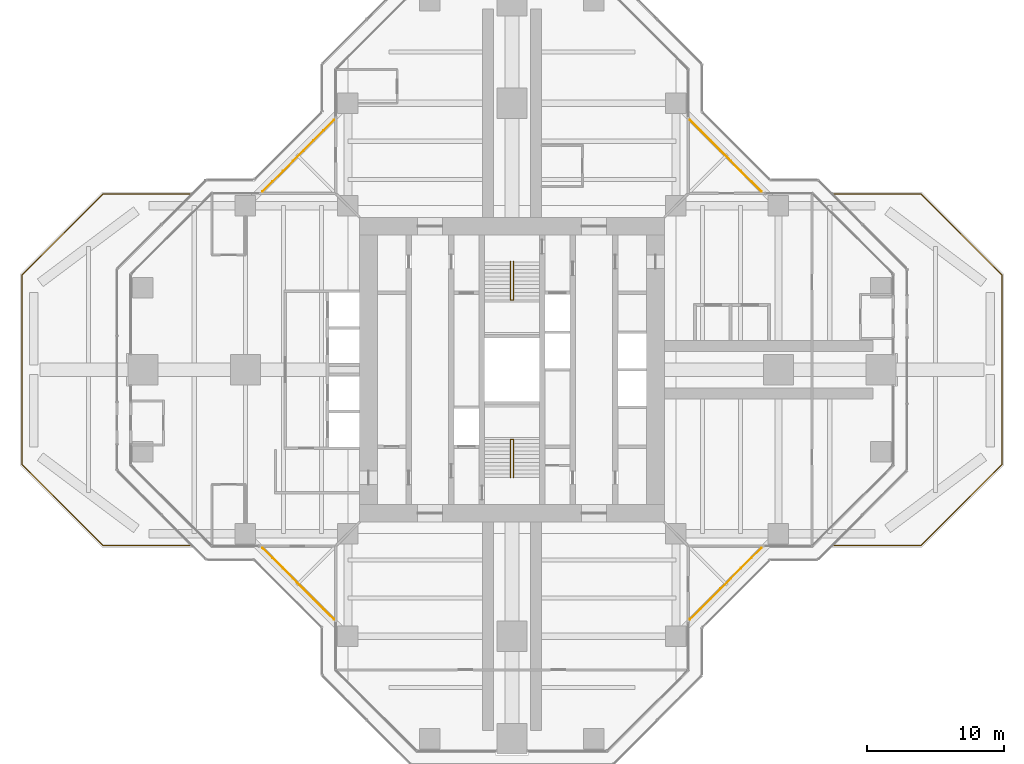
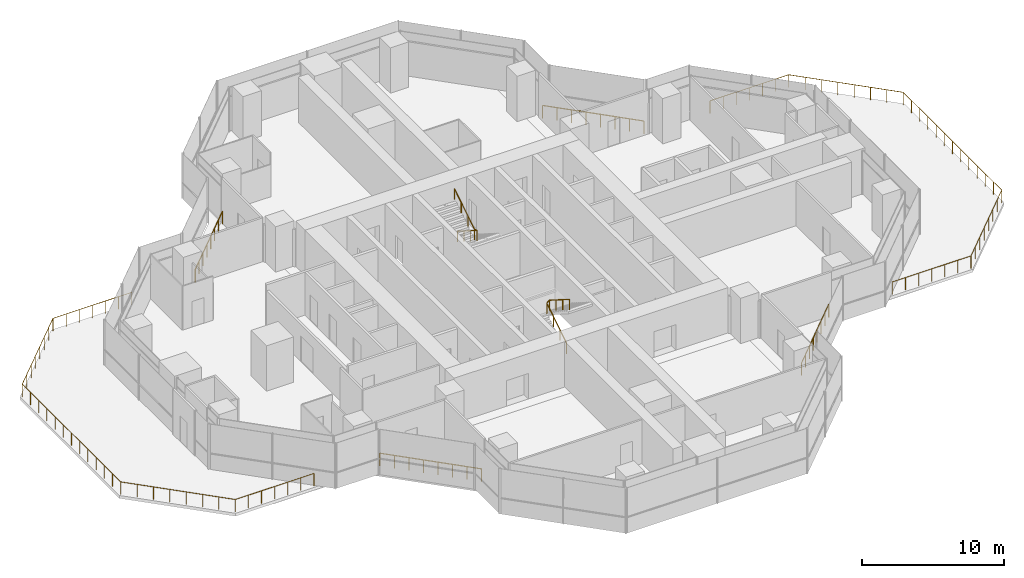
# One storey, part 19 of 19: 8 railings.
"""IFC4 building model written with IfcOpenShell, lengths in metres."""

from ifc_helpers import new_model, si_unit, direction, frame, origin, origin_2d, place, context, subcontext, project, spatial, circle, extrude, material, type_object, element, save


model = new_model("IFC4")

# Units and contexts
model_context = context("Model", 3, precision=1e-05, world=origin(), true_north=direction((0.0, 1.0)))
body_context = subcontext(model_context, "Body", "Model", "MODEL_VIEW")
ifc_project = project(units=[si_unit("LENGTHUNIT", "METRE"), si_unit("AREAUNIT", "SQUARE_METRE"), si_unit("VOLUMEUNIT", "CUBIC_METRE"), si_unit("PLANEANGLEUNIT", "RADIAN"), si_unit("MASSUNIT", "GRAM", prefix="KILO")], contexts=[model_context])

# Site, building, storey
site_placement = place(None, origin())
site = spatial("IfcSite", under=ifc_project, at=site_placement, CompositionType="ELEMENT")
building_placement = place(site_placement, origin())
building = spatial("IfcBuilding", under=site, at=building_placement, Name="Mizan Broadcast Tower", CompositionType="ELEMENT")
storey_placement = place(building_placement, frame((0.0, 0.0, 204.89990234375)))
storey = spatial("IfcBuildingStorey", under=building, at=storey_placement, Name="L47", CompositionType="ELEMENT", Elevation=204.89990234375)

# Railings
ifc_material_1 = material(Name="Stainless steel and glass guard", Category="steel")
railing_type_1 = type_object("IfcRailingType", Name="GUARD 1100", PredefinedType="GUARDRAIL", material=ifc_material_1)
railing_1_placement = place(storey_placement, frame((18.2578125, 13.030029296875, 0.0)))
element("IfcRailing", 1, at=railing_1_placement, inside=storey, type_object=railing_type_1, Name="Winter garden guard L47 E", PredefinedType="GUARDRAIL", context=body_context, shape_type="SweptSolid", body=[
    extrude(circle(Radius=0.02392578125, at=origin_2d()), frame((0.0, 0.0, 1.076171875), z_axis=(-0.707106781187, 0.707106781187, 0.0), x_axis=(-0.707106781187, -0.707106781187, 0.0)), (0.0, 0.0, 1.0), 7.393310546875),
    extrude(circle(Radius=0.02099609375, at=origin_2d()), origin(), (0.0, 0.0, 1.0), 1.052001953125),
    extrude(circle(Radius=0.02099609375, at=origin_2d()), frame((-0.746826171875, 0.746826171875, 0.0)), (0.0, 0.0, 1.0), 1.052001953125),
    extrude(circle(Radius=0.02099609375, at=origin_2d()), frame((-1.49365234375, 1.49365234375, 0.0)), (0.0, 0.0, 1.0), 1.052001953125),
    extrude(circle(Radius=0.02099609375, at=origin_2d()), frame((-2.240478515625, 2.240478515625, 0.0)), (0.0, 0.0, 1.0), 1.052001953125),
    extrude(circle(Radius=0.02099609375, at=origin_2d()), frame((-2.9873046875, 2.9873046875, 0.0)), (0.0, 0.0, 1.0), 1.052001953125),
    extrude(circle(Radius=0.02099609375, at=origin_2d()), frame((-3.734130859375, 3.734130859375, 0.0)), (0.0, 0.0, 1.0), 1.052001953125),
    extrude(circle(Radius=0.02099609375, at=origin_2d()), frame((-4.48095703125, 4.48095703125, 0.0)), (0.0, 0.0, 1.0), 1.052001953125),
    extrude(circle(Radius=0.02099609375, at=origin_2d()), frame((-5.227783203125, 5.227783203125, 0.0)), (0.0, 0.0, 1.0), 1.052001953125),
])
railing_2_placement = place(storey_placement, frame((-13.030029296875, 18.2578125, 0.0)))
element("IfcRailing", 2, at=railing_2_placement, inside=storey, type_object=railing_type_1, Name="Winter garden guard L47 N", PredefinedType="GUARDRAIL", context=body_context, shape_type="SweptSolid", body=[
    extrude(circle(Radius=0.02392578125, at=origin_2d()), frame((0.0, 0.0, 1.076171875), z_axis=(-0.707106781187, -0.707106781187, 0.0), x_axis=(0.707106781187, -0.707106781187, 0.0)), (0.0, 0.0, 1.0), 7.393310546875),
    extrude(circle(Radius=0.02099609375, at=origin_2d()), origin(), (0.0, 0.0, 1.0), 1.052001953125),
    extrude(circle(Radius=0.02099609375, at=origin_2d()), frame((-0.746826171875, -0.746826171875, 0.0)), (0.0, 0.0, 1.0), 1.052001953125),
    extrude(circle(Radius=0.02099609375, at=origin_2d()), frame((-1.49365234375, -1.49365234375, 0.0)), (0.0, 0.0, 1.0), 1.052001953125),
    extrude(circle(Radius=0.02099609375, at=origin_2d()), frame((-2.240478515625, -2.240478515625, 0.0)), (0.0, 0.0, 1.0), 1.052001953125),
    extrude(circle(Radius=0.02099609375, at=origin_2d()), frame((-2.9873046875, -2.9873046875, 0.0)), (0.0, 0.0, 1.0), 1.052001953125),
    extrude(circle(Radius=0.02099609375, at=origin_2d()), frame((-3.734130859375, -3.734130859375, 0.0)), (0.0, 0.0, 1.0), 1.052001953125),
    extrude(circle(Radius=0.02099609375, at=origin_2d()), frame((-4.48095703125, -4.48095703125, 0.0)), (0.0, 0.0, 1.0), 1.052001953125),
    extrude(circle(Radius=0.02099609375, at=origin_2d()), frame((-5.227783203125, -5.227783203125, 0.0)), (0.0, 0.0, 1.0), 1.052001953125),
])
railing_3_placement = place(storey_placement, frame((-18.2578125, -13.030029296875, 0.0)))
element("IfcRailing", 3, at=railing_3_placement, inside=storey, type_object=railing_type_1, Name="Winter garden guard L47 W", PredefinedType="GUARDRAIL", context=body_context, shape_type="SweptSolid", body=[
    extrude(circle(Radius=0.02392578125, at=origin_2d()), frame((0.0, 0.0, 1.076171875), z_axis=(0.707106781187, -0.707106781187, 0.0), x_axis=(0.707106781187, 0.707106781187, 0.0)), (0.0, 0.0, 1.0), 7.393310546875),
    extrude(circle(Radius=0.02099609375, at=origin_2d()), origin(), (0.0, 0.0, 1.0), 1.052001953125),
    extrude(circle(Radius=0.02099609375, at=origin_2d()), frame((0.746826171875, -0.746826171875, 0.0)), (0.0, 0.0, 1.0), 1.052001953125),
    extrude(circle(Radius=0.02099609375, at=origin_2d()), frame((1.49365234375, -1.49365234375, 0.0)), (0.0, 0.0, 1.0), 1.052001953125),
    extrude(circle(Radius=0.02099609375, at=origin_2d()), frame((2.240478515625, -2.240478515625, 0.0)), (0.0, 0.0, 1.0), 1.052001953125),
    extrude(circle(Radius=0.02099609375, at=origin_2d()), frame((2.9873046875, -2.9873046875, 0.0)), (0.0, 0.0, 1.0), 1.052001953125),
    extrude(circle(Radius=0.02099609375, at=origin_2d()), frame((3.734130859375, -3.734130859375, 0.0)), (0.0, 0.0, 1.0), 1.052001953125),
    extrude(circle(Radius=0.02099609375, at=origin_2d()), frame((4.48095703125, -4.48095703125, 0.0)), (0.0, 0.0, 1.0), 1.052001953125),
    extrude(circle(Radius=0.02099609375, at=origin_2d()), frame((5.227783203125, -5.227783203125, 0.0)), (0.0, 0.0, 1.0), 1.052001953125),
])
railing_4_placement = place(storey_placement, frame((13.030029296875, -18.2578125, 0.0)))
element("IfcRailing", 4, at=railing_4_placement, inside=storey, type_object=railing_type_1, Name="Winter garden guard L47 S", PredefinedType="GUARDRAIL", context=body_context, shape_type="SweptSolid", body=[
    extrude(circle(Radius=0.02392578125, at=origin_2d()), frame((0.0, 0.0, 1.076171875), z_axis=(0.707106781187, 0.707106781187, 0.0), x_axis=(-0.707106781187, 0.707106781187, 0.0)), (0.0, 0.0, 1.0), 7.393310546875),
    extrude(circle(Radius=0.02099609375, at=origin_2d()), origin(), (0.0, 0.0, 1.0), 1.052001953125),
    extrude(circle(Radius=0.02099609375, at=origin_2d()), frame((0.746826171875, 0.746826171875, 0.0)), (0.0, 0.0, 1.0), 1.052001953125),
    extrude(circle(Radius=0.02099609375, at=origin_2d()), frame((1.49365234375, 1.49365234375, 0.0)), (0.0, 0.0, 1.0), 1.052001953125),
    extrude(circle(Radius=0.02099609375, at=origin_2d()), frame((2.240478515625, 2.240478515625, 0.0)), (0.0, 0.0, 1.0), 1.052001953125),
    extrude(circle(Radius=0.02099609375, at=origin_2d()), frame((2.9873046875, 2.9873046875, 0.0)), (0.0, 0.0, 1.0), 1.052001953125),
    extrude(circle(Radius=0.02099609375, at=origin_2d()), frame((3.734130859375, 3.734130859375, 0.0)), (0.0, 0.0, 1.0), 1.052001953125),
    extrude(circle(Radius=0.02099609375, at=origin_2d()), frame((4.48095703125, 4.48095703125, 0.0)), (0.0, 0.0, 1.0), 1.052001953125),
    extrude(circle(Radius=0.02099609375, at=origin_2d()), frame((5.227783203125, 5.227783203125, 0.0)), (0.0, 0.0, 1.0), 1.052001953125),
])
railing_5_placement = place(storey_placement, frame((23.535888671875, 12.85009765625, 0.0)))
element("IfcRailing", 5, at=railing_5_placement, inside=storey, type_object=railing_type_1, Name="Maintenance roof guard L47 1", PredefinedType="GUARDRAIL", context=body_context, shape_type="SweptSolid", body=[
    extrude(circle(Radius=0.02392578125, at=origin_2d()), frame((0.0, 0.0, 1.076171875), z_axis=(1.0, 0.0, 0.0), x_axis=(0.0, 1.0, 0.0)), (0.0, 0.0, 1.0), 6.402099609375),
    extrude(circle(Radius=0.02392578125, at=origin_2d()), frame((6.402099609375, 0.0, 1.076171875), z_axis=(0.707106781187, -0.707106781187, 0.0), x_axis=(0.707106781187, 0.707106781187, 0.0)), (0.0, 0.0, 1.0), 8.361083984375),
    extrude(circle(Radius=0.02392578125, at=origin_2d()), frame((12.314208984375, -5.912109375, 1.076171875), z_axis=(0.0, -1.0, 0.0), x_axis=(1.0, 0.0, 0.0)), (0.0, 0.0, 1.0), 13.8759765625),
    extrude(circle(Radius=0.02392578125, at=origin_2d()), frame((12.314208984375, -19.7880859375, 1.076171875), z_axis=(-0.707106781187, -0.707106781187, 0.0), x_axis=(0.707106781187, -0.707106781187, 0.0)), (0.0, 0.0, 1.0), 8.361083984375),
    extrude(circle(Radius=0.02392578125, at=origin_2d()), frame((6.402099609375, -25.7001953125, 1.076171875), z_axis=(-1.0, 0.0, 0.0), x_axis=(0.0, -1.0, 0.0)), (0.0, 0.0, 1.0), 6.402099609375),
    extrude(circle(Radius=0.02099609375, at=origin_2d()), origin(), (0.0, 0.0, 1.0), 1.052001953125),
    extrude(circle(Radius=0.02099609375, at=origin_2d()), frame((1.06689453125, 0.0, 0.0)), (0.0, 0.0, 1.0), 1.052001953125),
    extrude(circle(Radius=0.02099609375, at=origin_2d()), frame((2.134033203125, 0.0, 0.0)), (0.0, 0.0, 1.0), 1.052001953125),
    extrude(circle(Radius=0.02099609375, at=origin_2d()), frame((3.201171875, 0.0, 0.0)), (0.0, 0.0, 1.0), 1.052001953125),
    extrude(circle(Radius=0.02099609375, at=origin_2d()), frame((4.26806640625, 0.0, 0.0)), (0.0, 0.0, 1.0), 1.052001953125),
    extrude(circle(Radius=0.02099609375, at=origin_2d()), frame((5.3349609375, 0.0, 0.0)), (0.0, 0.0, 1.0), 1.052001953125),
    extrude(circle(Radius=0.02099609375, at=origin_2d()), frame((6.402099609375, 0.0, 0.0)), (0.0, 0.0, 1.0), 1.052001953125),
    extrude(circle(Radius=0.02099609375, at=origin_2d()), frame((7.24658203125, -0.844482421875, 0.0)), (0.0, 0.0, 1.0), 1.052001953125),
    extrude(circle(Radius=0.02099609375, at=origin_2d()), frame((8.09130859375, -1.689208984375, 0.0)), (0.0, 0.0, 1.0), 1.052001953125),
    extrude(circle(Radius=0.02099609375, at=origin_2d()), frame((8.935791015625, -2.53369140625, 0.0)), (0.0, 0.0, 1.0), 1.052001953125),
    extrude(circle(Radius=0.02099609375, at=origin_2d()), frame((9.780517578125, -3.37841796875, 0.0)), (0.0, 0.0, 1.0), 1.052001953125),
    extrude(circle(Radius=0.02099609375, at=origin_2d()), frame((10.625, -4.222900390625, 0.0)), (0.0, 0.0, 1.0), 1.052001953125),
    extrude(circle(Radius=0.02099609375, at=origin_2d()), frame((11.4697265625, -5.067626953125, 0.0)), (0.0, 0.0, 1.0), 1.052001953125),
    extrude(circle(Radius=0.02099609375, at=origin_2d()), frame((12.314208984375, -5.912109375, 0.0)), (0.0, 0.0, 1.0), 1.052001953125),
    extrude(circle(Radius=0.02099609375, at=origin_2d()), frame((12.314208984375, -7.068359375, 0.0)), (0.0, 0.0, 1.0), 1.052001953125),
    extrude(circle(Radius=0.02099609375, at=origin_2d()), frame((12.314208984375, -8.224853515625, 0.0)), (0.0, 0.0, 1.0), 1.052001953125),
    extrude(circle(Radius=0.02099609375, at=origin_2d()), frame((12.314208984375, -9.381103515625, 0.0)), (0.0, 0.0, 1.0), 1.052001953125),
    extrude(circle(Radius=0.02099609375, at=origin_2d()), frame((12.314208984375, -10.537353515625, 0.0)), (0.0, 0.0, 1.0), 1.052001953125),
    extrude(circle(Radius=0.02099609375, at=origin_2d()), frame((12.314208984375, -11.69384765625, 0.0)), (0.0, 0.0, 1.0), 1.052001953125),
    extrude(circle(Radius=0.02099609375, at=origin_2d()), frame((12.314208984375, -12.85009765625, 0.0)), (0.0, 0.0, 1.0), 1.052001953125),
    extrude(circle(Radius=0.02099609375, at=origin_2d()), frame((12.314208984375, -14.00634765625, 0.0)), (0.0, 0.0, 1.0), 1.052001953125),
    extrude(circle(Radius=0.02099609375, at=origin_2d()), frame((12.314208984375, -15.162841796875, 0.0)), (0.0, 0.0, 1.0), 1.052001953125),
    extrude(circle(Radius=0.02099609375, at=origin_2d()), frame((12.314208984375, -16.319091796875, 0.0)), (0.0, 0.0, 1.0), 1.052001953125),
    extrude(circle(Radius=0.02099609375, at=origin_2d()), frame((12.314208984375, -17.475341796875, 0.0)), (0.0, 0.0, 1.0), 1.052001953125),
    extrude(circle(Radius=0.02099609375, at=origin_2d()), frame((12.314208984375, -18.6318359375, 0.0)), (0.0, 0.0, 1.0), 1.052001953125),
    extrude(circle(Radius=0.02099609375, at=origin_2d()), frame((12.314208984375, -19.7880859375, 0.0)), (0.0, 0.0, 1.0), 1.052001953125),
    extrude(circle(Radius=0.02099609375, at=origin_2d()), frame((11.4697265625, -20.632568359375, 0.0)), (0.0, 0.0, 1.0), 1.052001953125),
    extrude(circle(Radius=0.02099609375, at=origin_2d()), frame((10.625, -21.477294921875, 0.0)), (0.0, 0.0, 1.0), 1.052001953125),
    extrude(circle(Radius=0.02099609375, at=origin_2d()), frame((9.780517578125, -22.32177734375, 0.0)), (0.0, 0.0, 1.0), 1.052001953125),
    extrude(circle(Radius=0.02099609375, at=origin_2d()), frame((8.935791015625, -23.16650390625, 0.0)), (0.0, 0.0, 1.0), 1.052001953125),
    extrude(circle(Radius=0.02099609375, at=origin_2d()), frame((8.09130859375, -24.010986328125, 0.0)), (0.0, 0.0, 1.0), 1.052001953125),
    extrude(circle(Radius=0.02099609375, at=origin_2d()), frame((7.24658203125, -24.855712890625, 0.0)), (0.0, 0.0, 1.0), 1.052001953125),
    extrude(circle(Radius=0.02099609375, at=origin_2d()), frame((6.402099609375, -25.7001953125, 0.0)), (0.0, 0.0, 1.0), 1.052001953125),
    extrude(circle(Radius=0.02099609375, at=origin_2d()), frame((5.3349609375, -25.7001953125, 0.0)), (0.0, 0.0, 1.0), 1.052001953125),
    extrude(circle(Radius=0.02099609375, at=origin_2d()), frame((4.26806640625, -25.7001953125, 0.0)), (0.0, 0.0, 1.0), 1.052001953125),
    extrude(circle(Radius=0.02099609375, at=origin_2d()), frame((3.201171875, -25.7001953125, 0.0)), (0.0, 0.0, 1.0), 1.052001953125),
    extrude(circle(Radius=0.02099609375, at=origin_2d()), frame((2.134033203125, -25.7001953125, 0.0)), (0.0, 0.0, 1.0), 1.052001953125),
    extrude(circle(Radius=0.02099609375, at=origin_2d()), frame((1.06689453125, -25.7001953125, 0.0)), (0.0, 0.0, 1.0), 1.052001953125),
    extrude(circle(Radius=0.02099609375, at=origin_2d()), frame((0.0, -25.7001953125, 0.0)), (0.0, 0.0, 1.0), 1.052001953125),
])
railing_6_placement = place(storey_placement, frame((-23.535888671875, -12.85009765625, 0.0)))
element("IfcRailing", 6, at=railing_6_placement, inside=storey, type_object=railing_type_1, Name="Maintenance roof guard L47 2", PredefinedType="GUARDRAIL", context=body_context, shape_type="SweptSolid", body=[
    extrude(circle(Radius=0.02392578125, at=origin_2d()), frame((0.0, 0.0, 1.076171875), z_axis=(-1.0, 0.0, 0.0), x_axis=(0.0, -1.0, 0.0)), (0.0, 0.0, 1.0), 6.402099609375),
    extrude(circle(Radius=0.02392578125, at=origin_2d()), frame((-6.402099609375, 0.0, 1.076171875), z_axis=(-0.707106781187, 0.707106781187, 0.0), x_axis=(-0.707106781187, -0.707106781187, 0.0)), (0.0, 0.0, 1.0), 8.361083984375),
    extrude(circle(Radius=0.02392578125, at=origin_2d()), frame((-12.314208984375, 5.912109375, 1.076171875), z_axis=(0.0, 1.0, 0.0), x_axis=(-1.0, 0.0, 0.0)), (0.0, 0.0, 1.0), 13.8759765625),
    extrude(circle(Radius=0.02392578125, at=origin_2d()), frame((-12.314208984375, 19.7880859375, 1.076171875), z_axis=(0.707106781187, 0.707106781187, 0.0), x_axis=(-0.707106781187, 0.707106781187, 0.0)), (0.0, 0.0, 1.0), 8.361083984375),
    extrude(circle(Radius=0.02392578125, at=origin_2d()), frame((-6.402099609375, 25.7001953125, 1.076171875), z_axis=(1.0, 0.0, 0.0), x_axis=(0.0, 1.0, 0.0)), (0.0, 0.0, 1.0), 6.402099609375),
    extrude(circle(Radius=0.02099609375, at=origin_2d()), origin(), (0.0, 0.0, 1.0), 1.052001953125),
    extrude(circle(Radius=0.02099609375, at=origin_2d()), frame((-1.06689453125, 0.0, 0.0)), (0.0, 0.0, 1.0), 1.052001953125),
    extrude(circle(Radius=0.02099609375, at=origin_2d()), frame((-2.134033203125, 0.0, 0.0)), (0.0, 0.0, 1.0), 1.052001953125),
    extrude(circle(Radius=0.02099609375, at=origin_2d()), frame((-3.201171875, 0.0, 0.0)), (0.0, 0.0, 1.0), 1.052001953125),
    extrude(circle(Radius=0.02099609375, at=origin_2d()), frame((-4.26806640625, 0.0, 0.0)), (0.0, 0.0, 1.0), 1.052001953125),
    extrude(circle(Radius=0.02099609375, at=origin_2d()), frame((-5.3349609375, 0.0, 0.0)), (0.0, 0.0, 1.0), 1.052001953125),
    extrude(circle(Radius=0.02099609375, at=origin_2d()), frame((-6.402099609375, 0.0, 0.0)), (0.0, 0.0, 1.0), 1.052001953125),
    extrude(circle(Radius=0.02099609375, at=origin_2d()), frame((-7.24658203125, 0.844482421875, 0.0)), (0.0, 0.0, 1.0), 1.052001953125),
    extrude(circle(Radius=0.02099609375, at=origin_2d()), frame((-8.09130859375, 1.689208984375, 0.0)), (0.0, 0.0, 1.0), 1.052001953125),
    extrude(circle(Radius=0.02099609375, at=origin_2d()), frame((-8.935791015625, 2.53369140625, 0.0)), (0.0, 0.0, 1.0), 1.052001953125),
    extrude(circle(Radius=0.02099609375, at=origin_2d()), frame((-9.780517578125, 3.37841796875, 0.0)), (0.0, 0.0, 1.0), 1.052001953125),
    extrude(circle(Radius=0.02099609375, at=origin_2d()), frame((-10.625, 4.222900390625, 0.0)), (0.0, 0.0, 1.0), 1.052001953125),
    extrude(circle(Radius=0.02099609375, at=origin_2d()), frame((-11.4697265625, 5.067626953125, 0.0)), (0.0, 0.0, 1.0), 1.052001953125),
    extrude(circle(Radius=0.02099609375, at=origin_2d()), frame((-12.314208984375, 5.912109375, 0.0)), (0.0, 0.0, 1.0), 1.052001953125),
    extrude(circle(Radius=0.02099609375, at=origin_2d()), frame((-12.314208984375, 7.068359375, 0.0)), (0.0, 0.0, 1.0), 1.052001953125),
    extrude(circle(Radius=0.02099609375, at=origin_2d()), frame((-12.314208984375, 8.224853515625, 0.0)), (0.0, 0.0, 1.0), 1.052001953125),
    extrude(circle(Radius=0.02099609375, at=origin_2d()), frame((-12.314208984375, 9.381103515625, 0.0)), (0.0, 0.0, 1.0), 1.052001953125),
    extrude(circle(Radius=0.02099609375, at=origin_2d()), frame((-12.314208984375, 10.537353515625, 0.0)), (0.0, 0.0, 1.0), 1.052001953125),
    extrude(circle(Radius=0.02099609375, at=origin_2d()), frame((-12.314208984375, 11.69384765625, 0.0)), (0.0, 0.0, 1.0), 1.052001953125),
    extrude(circle(Radius=0.02099609375, at=origin_2d()), frame((-12.314208984375, 12.85009765625, 0.0)), (0.0, 0.0, 1.0), 1.052001953125),
    extrude(circle(Radius=0.02099609375, at=origin_2d()), frame((-12.314208984375, 14.00634765625, 0.0)), (0.0, 0.0, 1.0), 1.052001953125),
    extrude(circle(Radius=0.02099609375, at=origin_2d()), frame((-12.314208984375, 15.162841796875, 0.0)), (0.0, 0.0, 1.0), 1.052001953125),
    extrude(circle(Radius=0.02099609375, at=origin_2d()), frame((-12.314208984375, 16.319091796875, 0.0)), (0.0, 0.0, 1.0), 1.052001953125),
    extrude(circle(Radius=0.02099609375, at=origin_2d()), frame((-12.314208984375, 17.475341796875, 0.0)), (0.0, 0.0, 1.0), 1.052001953125),
    extrude(circle(Radius=0.02099609375, at=origin_2d()), frame((-12.314208984375, 18.6318359375, 0.0)), (0.0, 0.0, 1.0), 1.052001953125),
    extrude(circle(Radius=0.02099609375, at=origin_2d()), frame((-12.314208984375, 19.7880859375, 0.0)), (0.0, 0.0, 1.0), 1.052001953125),
    extrude(circle(Radius=0.02099609375, at=origin_2d()), frame((-11.4697265625, 20.632568359375, 0.0)), (0.0, 0.0, 1.0), 1.052001953125),
    extrude(circle(Radius=0.02099609375, at=origin_2d()), frame((-10.625, 21.477294921875, 0.0)), (0.0, 0.0, 1.0), 1.052001953125),
    extrude(circle(Radius=0.02099609375, at=origin_2d()), frame((-9.780517578125, 22.32177734375, 0.0)), (0.0, 0.0, 1.0), 1.052001953125),
    extrude(circle(Radius=0.02099609375, at=origin_2d()), frame((-8.935791015625, 23.16650390625, 0.0)), (0.0, 0.0, 1.0), 1.052001953125),
    extrude(circle(Radius=0.02099609375, at=origin_2d()), frame((-8.09130859375, 24.010986328125, 0.0)), (0.0, 0.0, 1.0), 1.052001953125),
    extrude(circle(Radius=0.02099609375, at=origin_2d()), frame((-7.24658203125, 24.855712890625, 0.0)), (0.0, 0.0, 1.0), 1.052001953125),
    extrude(circle(Radius=0.02099609375, at=origin_2d()), frame((-6.402099609375, 25.7001953125, 0.0)), (0.0, 0.0, 1.0), 1.052001953125),
    extrude(circle(Radius=0.02099609375, at=origin_2d()), frame((-5.3349609375, 25.7001953125, 0.0)), (0.0, 0.0, 1.0), 1.052001953125),
    extrude(circle(Radius=0.02099609375, at=origin_2d()), frame((-4.26806640625, 25.7001953125, 0.0)), (0.0, 0.0, 1.0), 1.052001953125),
    extrude(circle(Radius=0.02099609375, at=origin_2d()), frame((-3.201171875, 25.7001953125, 0.0)), (0.0, 0.0, 1.0), 1.052001953125),
    extrude(circle(Radius=0.02099609375, at=origin_2d()), frame((-2.134033203125, 25.7001953125, 0.0)), (0.0, 0.0, 1.0), 1.052001953125),
    extrude(circle(Radius=0.02099609375, at=origin_2d()), frame((-1.06689453125, 25.7001953125, 0.0)), (0.0, 0.0, 1.0), 1.052001953125),
    extrude(circle(Radius=0.02099609375, at=origin_2d()), frame((0.0, 25.7001953125, 0.0)), (0.0, 0.0, 1.0), 1.052001953125),
])
ifc_material_2 = material(Name="Stainless steel", Category="steel")
railing_type_2 = type_object("IfcRailingType", Name="HANDRAIL 50", PredefinedType="HANDRAIL", material=ifc_material_2)
railing_7_placement = place(storey_placement, frame((-0.110107421875, -7.89990234375, 0.177490234375)))
element("IfcRailing", 7, at=railing_7_placement, inside=storey, type_object=railing_type_2, Name="Stair A handrail", PredefinedType="HANDRAIL", context=body_context, shape_type="SweptSolid", body=[
    extrude(circle(Radius=0.02392578125, at=origin_2d()), frame((0.0, 0.0, 0.8759765625), z_axis=(0.0, 0.844887892834, 0.53494340686), x_axis=(-1.0, 0.0, 0.0)), (0.0, 0.0, 1.0), 3.313720703125),
    extrude(circle(Radius=0.02392578125, at=origin_2d()), frame((0.0, 2.7998046875, 2.6484375), z_axis=(0.779011685263, 0.0, 0.627009405212), x_axis=(0.0, 1.0, 0.0)), (0.0, 0.0, 1.0), 0.28271484375),
    extrude(circle(Radius=0.02392578125, at=origin_2d()), frame((0.22021484375, 2.7998046875, 2.82568359375), z_axis=(0.0, -0.844887892834, 0.53494340686), x_axis=(1.0, 0.0, 0.0)), (0.0, 0.0, 1.0), 3.313720703125),
    extrude(circle(Radius=0.02099609375, at=origin_2d()), origin(), (0.0, 0.0, 1.0), 0.851806640625),
    extrude(circle(Radius=0.02099609375, at=origin_2d()), frame((0.0, 0.933349609375, 0.5908203125)), (0.0, 0.0, 1.0), 0.851806640625),
    extrude(circle(Radius=0.02099609375, at=origin_2d()), frame((0.0, 1.866455078125, 1.181884765625)), (0.0, 0.0, 1.0), 0.851806640625),
    extrude(circle(Radius=0.02099609375, at=origin_2d()), frame((0.0, 2.7998046875, 1.772705078125)), (0.0, 0.0, 1.0), 0.851806640625),
    extrude(circle(Radius=0.02099609375, at=origin_2d()), frame((0.22021484375, 2.7998046875, 1.949951171875)), (0.0, 0.0, 1.0), 0.851806640625),
    extrude(circle(Radius=0.02099609375, at=origin_2d()), frame((0.22021484375, 1.866455078125, 2.540771484375)), (0.0, 0.0, 1.0), 0.851806640625),
    extrude(circle(Radius=0.02099609375, at=origin_2d()), frame((0.22021484375, 0.933349609375, 3.1318359375)), (0.0, 0.0, 1.0), 0.851806640625),
    extrude(circle(Radius=0.02099609375, at=origin_2d()), frame((0.22021484375, 0.0, 3.72265625)), (0.0, 0.0, 1.0), 0.851806640625),
])
railing_8_placement = place(storey_placement, frame((0.110107421875, 7.89990234375, 0.177490234375)))
element("IfcRailing", 8, at=railing_8_placement, inside=storey, type_object=railing_type_2, Name="Stair B handrail", PredefinedType="HANDRAIL", context=body_context, shape_type="SweptSolid", body=[
    extrude(circle(Radius=0.02392578125, at=origin_2d()), frame((0.0, 0.0, 0.8759765625), z_axis=(0.0, -0.844887892834, 0.53494340686), x_axis=(1.0, 0.0, 0.0)), (0.0, 0.0, 1.0), 3.313720703125),
    extrude(circle(Radius=0.02392578125, at=origin_2d()), frame((0.0, -2.7998046875, 2.6484375), z_axis=(-0.779011685263, 0.0, 0.627009405212), x_axis=(0.0, -1.0, 0.0)), (0.0, 0.0, 1.0), 0.28271484375),
    extrude(circle(Radius=0.02392578125, at=origin_2d()), frame((-0.22021484375, -2.7998046875, 2.82568359375), z_axis=(0.0, 0.844887892834, 0.53494340686), x_axis=(-1.0, 0.0, 0.0)), (0.0, 0.0, 1.0), 3.313720703125),
    extrude(circle(Radius=0.02099609375, at=origin_2d()), origin(), (0.0, 0.0, 1.0), 0.851806640625),
    extrude(circle(Radius=0.02099609375, at=origin_2d()), frame((0.0, -0.933349609375, 0.5908203125)), (0.0, 0.0, 1.0), 0.851806640625),
    extrude(circle(Radius=0.02099609375, at=origin_2d()), frame((0.0, -1.866455078125, 1.181884765625)), (0.0, 0.0, 1.0), 0.851806640625),
    extrude(circle(Radius=0.02099609375, at=origin_2d()), frame((0.0, -2.7998046875, 1.772705078125)), (0.0, 0.0, 1.0), 0.851806640625),
    extrude(circle(Radius=0.02099609375, at=origin_2d()), frame((-0.22021484375, -2.7998046875, 1.949951171875)), (0.0, 0.0, 1.0), 0.851806640625),
    extrude(circle(Radius=0.02099609375, at=origin_2d()), frame((-0.22021484375, -1.866455078125, 2.540771484375)), (0.0, 0.0, 1.0), 0.851806640625),
    extrude(circle(Radius=0.02099609375, at=origin_2d()), frame((-0.22021484375, -0.933349609375, 3.1318359375)), (0.0, 0.0, 1.0), 0.851806640625),
    extrude(circle(Radius=0.02099609375, at=origin_2d()), frame((-0.22021484375, 0.0, 3.72265625)), (0.0, 0.0, 1.0), 0.851806640625),
])

save(model, "model.ifc")
